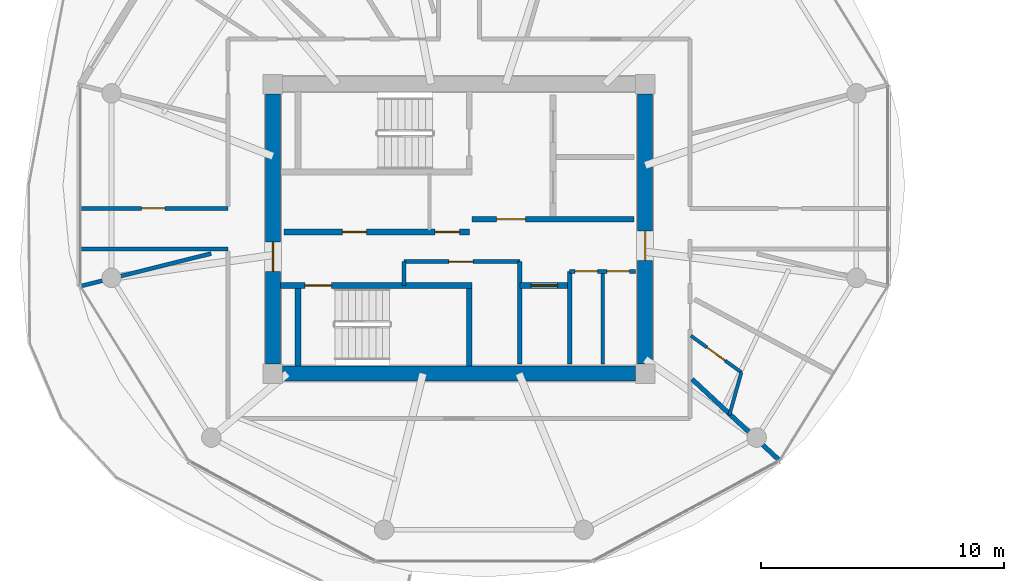
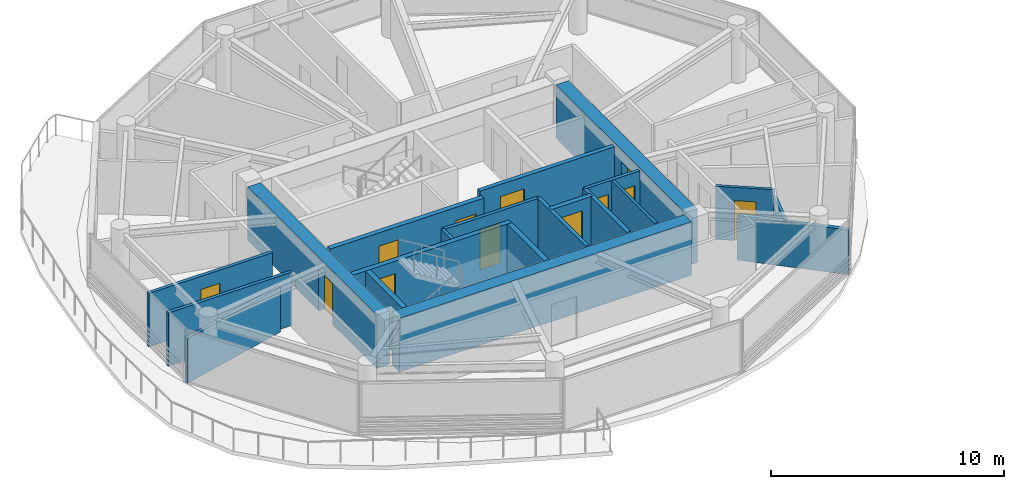
# One storey, part 13 of 23: 21 walls, 12 doors, 12 openings.
"""IFC4 building model written with IfcOpenShell, lengths in metres."""

from ifc_helpers import new_model, si_unit, direction, frame, frame_2d, origin, place, context, subcontext, project, spatial, rectangle, extrude, source, transform, mapped, material, layer, layer_set, type_object, type_shapes, element, fill, save


model = new_model("IFC4")

# Units and contexts
model_context = context("Model", 3, precision=1e-05, world=origin(), true_north=direction((0.0, 1.0)))
body_context = subcontext(model_context, "Body", "Model", "MODEL_VIEW")
ifc_project = project(units=[si_unit("LENGTHUNIT", "METRE"), si_unit("AREAUNIT", "SQUARE_METRE"), si_unit("VOLUMEUNIT", "CUBIC_METRE"), si_unit("PLANEANGLEUNIT", "RADIAN"), si_unit("MASSUNIT", "GRAM", prefix="KILO")], contexts=[model_context])

# Site, building, storey
site_placement = place(None, origin())
site = spatial("IfcSite", under=ifc_project, at=site_placement, CompositionType="ELEMENT")
building_placement = place(site_placement, origin())
building = spatial("IfcBuilding", under=site, at=building_placement, Name="Norrkilde Senior Care Towers", CompositionType="ELEMENT")
storey_placement = place(building_placement, frame((0.0, 0.0, 164.800048828125)))
storey = spatial("IfcBuildingStorey", under=building, at=storey_placement, Name="L51", CompositionType="ELEMENT", Elevation=164.800048828125)

# Wall
ifc_material_1 = material(Name="Concrete C50/60", Category="concrete")
ifc_layer_1 = layer(ifc_material_1, 0.6201171875)
ifc_layer_set_1 = layer_set([ifc_layer_1], Name="Concrete C50/60")
wall_type_1 = type_object("IfcWallType", Name="Core Shear Wall Z3 620", PredefinedType="SHEAR", material=ifc_layer_set_1)
shared_shape_1 = source(origin(), body_context, "Body", "SweptSolid", [
    extrude(rectangle(XDim=14.5, YDim=0.6201171875, at=frame_2d((7.25, 0.0))), origin(), (0.0, 0.0, 1.0), 2.81005859375),
])
wall_1_placement = place(storey_placement, frame((-20.75, -5.949951171875, 0.0), z_axis=(0.0, 0.0, 1.0), x_axis=(-1.0, 0.0, 0.0)))
element("IfcWall", 1, at=wall_1_placement, inside=storey, type_object=wall_type_1, Name="L51 Core W South Shear Wall", PredefinedType="SHEAR", context=body_context, shape_type="MappedRepresentation", body=[
    mapped(shared_shape_1, transform((0.0, 0.0, 0.0), x_axis=(1.0, 0.0, 0.0), y_axis=(0.0, 1.0, 0.0), z_axis=(0.0, 0.0, 1.0), scale=1.0)),
])

# Wall, opening, door
shared_shape_2 = source(origin(), body_context, "Body", "SweptSolid", [
    extrude(rectangle(XDim=11.10009765625, YDim=0.6201171875, at=frame_2d((5.550048828125, 0.0))), origin(), (0.0, 0.0, 1.0), 2.81005859375),
])
type_shapes(wall_type_1, [shared_shape_1, shared_shape_2])
wall_2_placement = place(storey_placement, frame((-35.64990234375, -5.550048828125, 0.0), z_axis=(0.0, 0.0, 1.0), x_axis=(0.0, 1.0, 0.0)))
wall_2 = element("IfcWall", 2, at=wall_2_placement, inside=storey, type_object=wall_type_1, Name="L51 Core W West Shear Wall", PredefinedType="SHEAR", context=body_context, shape_type="MappedRepresentation", body=[
    mapped(shared_shape_2, transform((0.0, 0.0, 0.0), x_axis=(1.0, 0.0, 0.0), y_axis=(0.0, 1.0, 0.0), z_axis=(0.0, 0.0, 1.0), scale=1.0)),
])
opening_1_placement = place(wall_2_placement, frame((3.800048828125, 0.0, 0.0)))
opening_1 = element("IfcOpeningElement", 3, at=opening_1_placement, cuts=wall_2, Name="Opening D-04", PredefinedType="OPENING", context=body_context, shape_type="SweptSolid", body=[
    extrude(rectangle(XDim=1.199951171875, YDim=2.14990234375, at=frame_2d((0.60009765625, 1.074951171875))), frame((0.0, 0.320068359375, 0.0), z_axis=(0.0, -1.0, 0.0), x_axis=(1.0, 0.0, 0.0)), (0.0, 0.0, 1.0), 0.64013671875),
])
ifc_material_2 = material(Name="Galvanised Painted Steel", Category="steel")
door_type_1 = type_object("IfcDoorType", Name="Firefighting Lobby Fire Door 1200x2150", OperationType="NOTDEFINED", PredefinedType="DOOR", material=ifc_material_2)
shared_shape_3 = source(origin(), body_context, "Body", "SweptSolid", [
    extrude(rectangle(XDim=1.199951171875, YDim=2.14990234375, at=frame_2d((0.60009765625, 1.074951171875))), frame((0.0, 0.02490234375, 0.0), z_axis=(0.0, -1.0, 0.0), x_axis=(1.0, 0.0, 0.0)), (0.0, 0.0, 1.0), 0.050048828125),
])
type_shapes(door_type_1, [shared_shape_3])
door_1_placement = place(opening_1_placement, frame((1.199951171875, 0.0, 0.0), z_axis=(0.0, 0.0, 1.0), x_axis=(-1.0, 0.0, 0.0)))
door_1 = element("IfcDoor", 4, at=door_1_placement, inside=storey, type_object=door_type_1, Name="L51 Core W West Portal Door", OperationType="SINGLE_SWING_LEFT", OverallHeight=2.14990234375, OverallWidth=1.199951171875, PredefinedType="DOOR", context=body_context, shape_type="MappedRepresentation", body=[
    mapped(shared_shape_3, transform((0.0, 0.0, 0.0), x_axis=(1.0, 0.0, 0.0), y_axis=(0.0, 1.0, 0.0), z_axis=(0.0, 0.0, 1.0), scale=1.0)),
])
fill(opening_1, door_1)

wall_3_placement = place(storey_placement, frame((-20.35009765625, 5.550048828125, 0.0), z_axis=(0.0, 0.0, 1.0), x_axis=(0.0, -1.0, 0.0)))
wall_3 = element("IfcWall", 5, at=wall_3_placement, inside=storey, type_object=wall_type_1, Name="L51 Core W East Shear Wall", PredefinedType="SHEAR", context=body_context, shape_type="MappedRepresentation", body=[
    mapped(shared_shape_2, transform((0.0, 0.0, 0.0), x_axis=(1.0, 0.0, 0.0), y_axis=(0.0, 1.0, 0.0), z_axis=(0.0, 0.0, 1.0), scale=1.0)),
])
opening_2_placement = place(wall_3_placement, frame((5.64990234375, 0.0, 0.0)))
opening_2 = element("IfcOpeningElement", 6, at=opening_2_placement, cuts=wall_3, Name="Opening D-04", PredefinedType="OPENING", context=body_context, shape_type="SweptSolid", body=[
    extrude(rectangle(XDim=1.199951171875, YDim=2.14990234375, at=frame_2d((0.60009765625, 1.074951171875))), frame((0.0, 0.320068359375, 0.0), z_axis=(0.0, -1.0, 0.0), x_axis=(1.0, 0.0, 0.0)), (0.0, 0.0, 1.0), 0.64013671875),
])
door_2_placement = place(opening_2_placement, frame((1.199951171875, 0.0, 0.0), z_axis=(0.0, 0.0, 1.0), x_axis=(-1.0, 0.0, 0.0)))
door_2 = element("IfcDoor", 7, at=door_2_placement, inside=storey, type_object=door_type_1, Name="L51 Core W East Portal Door", OperationType="SINGLE_SWING_RIGHT", OverallHeight=2.14990234375, OverallWidth=1.199951171875, PredefinedType="DOOR", context=body_context, shape_type="MappedRepresentation", body=[
    mapped(shared_shape_3, transform((0.0, 0.0, 0.0), x_axis=(1.0, 0.0, 0.0), y_axis=(0.0, 1.0, 0.0), z_axis=(0.0, 0.0, 1.0), scale=1.0)),
])
fill(opening_2, door_2)

ifc_material_3 = material(Name="Concrete C45/55", Category="concrete")
ifc_layer_2 = layer(ifc_material_3, 0.239990234375)
ifc_layer_set_2 = layer_set([ifc_layer_2], Name="Concrete C45/55")
wall_type_2 = type_object("IfcWallType", Name="Shaft and Stair Enclosure Wall 240", PredefinedType="PARTITIONING", material=ifc_layer_set_2)
shared_shape_4 = source(origin(), body_context, "Body", "SweptSolid", [
    extrude(rectangle(XDim=7.880126953125, YDim=0.239990234375, at=frame_2d((3.93994140625, 0.0))), origin(), (0.0, 0.0, 1.0), 2.81005859375),
])
wall_4_placement = place(storey_placement, frame((-35.340087890625, -2.330078125, 0.0), z_axis=(0.0, 0.0, 1.0), x_axis=(1.0, 0.0, 0.0)))
wall_4 = element("IfcWall", 8, at=wall_4_placement, inside=storey, type_object=wall_type_2, Name="WL-INT-L51-W-ST2N", PredefinedType="PARTITIONING", context=body_context, shape_type="MappedRepresentation", body=[
    mapped(shared_shape_4, transform((0.0, 0.0, 0.0), x_axis=(1.0, 0.0, 0.0), y_axis=(0.0, 1.0, 0.0), z_axis=(0.0, 0.0, 1.0), scale=1.0)),
])
opening_3_placement = place(wall_4_placement, frame((1.0, 0.0, 0.0)))
opening_3 = element("IfcOpeningElement", 9, at=opening_3_placement, cuts=wall_4, Name="Opening D-03", PredefinedType="OPENING", context=body_context, shape_type="SweptSolid", body=[
    extrude(rectangle(XDim=1.10009765625, YDim=2.14990234375, at=frame_2d((0.550048828125, 1.074951171875))), frame((0.0, 0.1298828125, 0.0), z_axis=(0.0, -1.0, 0.0), x_axis=(1.0, 0.0, 0.0)), (0.0, 0.0, 1.0), 0.260009765625),
])
door_type_2 = type_object("IfcDoorType", Name="Stairwell Protected Fire Door 1100x2150", OperationType="NOTDEFINED", PredefinedType="DOOR", material=ifc_material_2)
shared_shape_5 = source(origin(), body_context, "Body", "SweptSolid", [
    extrude(rectangle(XDim=1.10009765625, YDim=2.14990234375, at=frame_2d((0.550048828125, 1.074951171875))), frame((0.0, 0.02490234375, 0.0), z_axis=(0.0, -1.0, 0.0), x_axis=(1.0, 0.0, 0.0)), (0.0, 0.0, 1.0), 0.050048828125),
])
type_shapes(door_type_2, [shared_shape_5])
door_3_placement = place(opening_3_placement, frame((1.10009765625, 0.0, 0.0), z_axis=(0.0, 0.0, 1.0), x_axis=(-1.0, 0.0, 0.0)))
door_3 = element("IfcDoor", 10, at=door_3_placement, inside=storey, type_object=door_type_2, Name="L51 Stair W2 Fire Door", OperationType="SINGLE_SWING_RIGHT", OverallHeight=2.14990234375, OverallWidth=1.10009765625, PredefinedType="DOOR", context=body_context, shape_type="MappedRepresentation", body=[
    mapped(shared_shape_5, transform((0.0, 0.0, 0.0), x_axis=(1.0, 0.0, 0.0), y_axis=(0.0, 1.0, 0.0), z_axis=(0.0, 0.0, 1.0), scale=1.0)),
])
fill(opening_3, door_3)

# Walls
shared_shape_6 = source(origin(), body_context, "Body", "SweptSolid", [
    extrude(rectangle(XDim=3.18994140625, YDim=0.239990234375, at=frame_2d((1.594970703125, 0.0))), origin(), (0.0, 0.0, 1.0), 2.81005859375),
])
type_shapes(wall_type_2, [shared_shape_4, shared_shape_6])
for number, where, z_axis, x_axis, name in (
    (11, (-34.6201171875, -5.639892578125, 0.0), (0.0, 0.0, 1.0), (0.0, 1.0, 0.0), "WL-INT-L51-W-ST2W"),
    (12, (-27.580078125, -5.639892578125, 0.0), (0.0, 0.0, 1.0), (0.0, 1.0, 0.0), "WL-INT-L51-W-ST2E"),
):
    element("IfcWall", number, at=place(storey_placement, frame(where, z_axis=z_axis, x_axis=x_axis)), inside=storey, type_object=wall_type_2, Name=name, PredefinedType="PARTITIONING", context=body_context, shape_type="MappedRepresentation", body=[
        mapped(shared_shape_6, transform((0.0, 0.0, 0.0), x_axis=(1.0, 0.0, 0.0), y_axis=(0.0, 1.0, 0.0), z_axis=(0.0, 0.0, 1.0), scale=1.0)),
    ])

# Wall, opening, door
ifc_layer_3 = layer(ifc_material_3, 0.2099609375)
ifc_layer_set_3 = layer_set([ifc_layer_3], Name="Concrete C45/55")
wall_type_3 = type_object("IfcWallType", Name="Firefighting Lobby Wall 210", PredefinedType="PARTITIONING", material=ifc_layer_set_3)
shared_shape_7 = source(origin(), body_context, "Body", "SweptSolid", [
    extrude(rectangle(XDim=6.659912109375, YDim=0.2099609375, at=frame_2d((3.330078125, 0.0))), origin(), (0.0, 0.0, 1.0), 2.794921875),
])
type_shapes(wall_type_3, [shared_shape_7])
wall_5_placement = place(storey_placement, frame((-27.4599609375, 0.389892578125, 0.0), z_axis=(0.0, 0.0, 1.0), x_axis=(1.0, 0.0, 0.0)))
wall_5 = element("IfcWall", 13, at=wall_5_placement, inside=storey, type_object=wall_type_3, Name="WL-INT-L51-W-FFLS", PredefinedType="PARTITIONING", context=body_context, shape_type="MappedRepresentation", body=[
    mapped(shared_shape_7, transform((0.0, 0.0, 0.0), x_axis=(1.0, 0.0, 0.0), y_axis=(0.0, 1.0, 0.0), z_axis=(0.0, 0.0, 1.0), scale=1.0)),
])
opening_4_placement = place(wall_5_placement, frame((1.0, 0.0, 0.0)))
opening_4 = element("IfcOpeningElement", 14, at=opening_4_placement, cuts=wall_5, Name="Opening D-04", PredefinedType="OPENING", context=body_context, shape_type="SweptSolid", body=[
    extrude(rectangle(XDim=1.199951171875, YDim=2.14990234375, at=frame_2d((0.60009765625, 1.074951171875))), frame((0.0, 0.114990234375, 0.0), z_axis=(0.0, -1.0, 0.0), x_axis=(1.0, 0.0, 0.0)), (0.0, 0.0, 1.0), 0.22998046875),
])
door_4_placement = place(opening_4_placement, frame((1.199951171875, 0.0, 0.0), z_axis=(0.0, 0.0, 1.0), x_axis=(-1.0, 0.0, 0.0)))
door_4 = element("IfcDoor", 15, at=door_4_placement, inside=storey, type_object=door_type_1, Name="L51 Firefighting Lobby W Door", OperationType="SINGLE_SWING_LEFT", OverallHeight=2.14990234375, OverallWidth=1.199951171875, PredefinedType="DOOR", context=body_context, shape_type="MappedRepresentation", body=[
    mapped(shared_shape_3, transform((0.0, 0.0, 0.0), x_axis=(1.0, 0.0, 0.0), y_axis=(0.0, 1.0, 0.0), z_axis=(0.0, 0.0, 1.0), scale=1.0)),
])
fill(opening_4, door_4)

# Wall, openings, doors
ifc_layer_4 = layer(ifc_material_3, 0.239990234375)
ifc_layer_set_4 = layer_set([ifc_layer_4], Name="Concrete C45/55")
wall_type_4 = type_object("IfcWallType", Name="Lift and Plant Rated Enclosure Partition 240", PredefinedType="PARTITIONING", material=ifc_layer_set_4)
shared_shape_8 = source(origin(), body_context, "Body", "SweptSolid", [
    extrude(rectangle(XDim=7.619873046875, YDim=0.239990234375, at=frame_2d((3.81005859375, 0.0))), origin(), (0.0, 0.0, 1.0), 2.794921875),
])
wall_6_placement = place(storey_placement, frame((-35.199951171875, -0.1298828125, 0.0), z_axis=(0.0, 0.0, 1.0), x_axis=(1.0, 0.0, 0.0)))
wall_6 = element("IfcWall", 16, at=wall_6_placement, inside=storey, type_object=wall_type_4, Name="WL-INT-L51-W-PKAS", PredefinedType="PARTITIONING", context=body_context, shape_type="MappedRepresentation", body=[
    mapped(shared_shape_8, transform((0.0, 0.0, 0.0), x_axis=(1.0, 0.0, 0.0), y_axis=(0.0, 1.0, 0.0), z_axis=(0.0, 0.0, 1.0), scale=1.0)),
])
opening_5_placement = place(wall_6_placement, frame((6.219970703125, 0.0, 0.0)))
opening_5 = element("IfcOpeningElement", 17, at=opening_5_placement, cuts=wall_6, Name="Opening D-10", PredefinedType="OPENING", context=body_context, shape_type="SweptSolid", body=[
    extrude(rectangle(XDim=1.0, YDim=2.10009765625, at=frame_2d((0.5, 1.050048828125))), frame((0.0, 0.1298828125, 0.0), z_axis=(0.0, -1.0, 0.0), x_axis=(1.0, 0.0, 0.0)), (0.0, 0.0, 1.0), 0.260009765625),
])
opening_6_placement = place(wall_6_placement, frame((2.39990234375, 0.0, 0.0)))
opening_6 = element("IfcOpeningElement", 18, at=opening_6_placement, cuts=wall_6, Name="Opening D-10", PredefinedType="OPENING", context=body_context, shape_type="SweptSolid", body=[
    extrude(rectangle(XDim=1.0, YDim=2.10009765625, at=frame_2d((0.5, 1.050048828125))), frame((0.0, 0.1298828125, 0.0), z_axis=(0.0, -1.0, 0.0), x_axis=(1.0, 0.0, 0.0)), (0.0, 0.0, 1.0), 0.260009765625),
])
door_type_3 = type_object("IfcDoorType", Name="Plant and Riser Rated Door 1000x2100", OperationType="NOTDEFINED", PredefinedType="DOOR", material=ifc_material_2)
shared_shape_9 = source(origin(), body_context, "Body", "SweptSolid", [
    extrude(rectangle(XDim=1.0, YDim=2.10009765625, at=frame_2d((0.5, 1.050048828125))), frame((0.0, 0.02490234375, 0.0), z_axis=(0.0, -1.0, 0.0), x_axis=(1.0, 0.0, 0.0)), (0.0, 0.0, 1.0), 0.050048828125),
])
type_shapes(door_type_3, [shared_shape_9])
door_5_placement = place(opening_5_placement, frame((1.0, 0.0, 0.0), z_axis=(0.0, 0.0, 1.0), x_axis=(-1.0, 0.0, 0.0)))
door_5 = element("IfcDoor", 19, at=door_5_placement, inside=storey, type_object=door_type_3, Name="L51 Electrical Riser W Door", OperationType="SINGLE_SWING_LEFT", OverallHeight=2.10009765625, OverallWidth=1.0, PredefinedType="DOOR", context=body_context, shape_type="MappedRepresentation", body=[
    mapped(shared_shape_9, transform((0.0, 0.0, 0.0), x_axis=(1.0, 0.0, 0.0), y_axis=(0.0, 1.0, 0.0), z_axis=(0.0, 0.0, 1.0), scale=1.0)),
])
fill(opening_5, door_5)
door_6_placement = place(opening_6_placement, frame((1.0, 0.0, 0.0), z_axis=(0.0, 0.0, 1.0), x_axis=(-1.0, 0.0, 0.0)))
door_6 = element("IfcDoor", 20, at=door_6_placement, inside=storey, type_object=door_type_3, Name="L51 Clean Supply Store W Door", OperationType="SINGLE_SWING_LEFT", OverallHeight=2.10009765625, OverallWidth=1.0, PredefinedType="DOOR", context=body_context, shape_type="MappedRepresentation", body=[
    mapped(shared_shape_9, transform((0.0, 0.0, 0.0), x_axis=(1.0, 0.0, 0.0), y_axis=(0.0, 1.0, 0.0), z_axis=(0.0, 0.0, 1.0), scale=1.0)),
])
fill(opening_6, door_6)

# Wall
ifc_layer_5 = layer(ifc_material_3, 0.199951171875)
ifc_layer_set_5 = layer_set([ifc_layer_5], Name="Concrete C45/55")
wall_type_5 = type_object("IfcWallType", Name="Shaft Division and Plant Partition 200", PredefinedType="PARTITIONING", material=ifc_layer_set_5)
shared_shape_10 = source(origin(), body_context, "Body", "SweptSolid", [
    extrude(rectangle(XDim=3.800048828125, YDim=0.199951171875, at=frame_2d((1.89990234375, 0.0))), origin(), (0.0, 0.0, 1.0), 2.794921875),
])
type_shapes(wall_type_5, [shared_shape_10])
wall_7_placement = place(storey_placement, frame((-23.449951171875, -5.550048828125, 0.0), z_axis=(0.0, 0.0, 1.0), x_axis=(0.0, 1.0, 0.0)))
element("IfcWall", 21, at=wall_7_placement, inside=storey, type_object=wall_type_5, Name="WL-INT-L51-W-PKBE", PredefinedType="PARTITIONING", context=body_context, shape_type="MappedRepresentation", body=[
    mapped(shared_shape_10, transform((0.0, 0.0, 0.0), x_axis=(1.0, 0.0, 0.0), y_axis=(0.0, 1.0, 0.0), z_axis=(0.0, 0.0, 1.0), scale=1.0)),
])

# Wall, openings, doors
ifc_material_4 = material(Name="Gypsum Acoustic Board")
ifc_layer_6 = layer(ifc_material_4, 0.1650390625)
ifc_layer_set_6 = layer_set([ifc_layer_6], Name="Gypsum Acoustic Board")
wall_type_6 = type_object("IfcWallType", Name="Corridor Rated Partition 165", PredefinedType="PARTITIONING", material=ifc_layer_set_6)
shared_shape_11 = source(origin(), body_context, "Body", "SweptSolid", [
    extrude(rectangle(XDim=2.699951171875, YDim=0.1650390625, at=frame_2d((1.35009765625, 0.0))), origin(), (0.0, 0.0, 1.0), 2.794921875),
])
wall_8_placement = place(storey_placement, frame((-23.449951171875, -1.75, 0.0), z_axis=(0.0, 0.0, 1.0), x_axis=(1.0, 0.0, 0.0)))
wall_8 = element("IfcWall", 22, at=wall_8_placement, inside=storey, type_object=wall_type_6, Name="WL-INT-L51-W-CSN", PredefinedType="PARTITIONING", context=body_context, shape_type="MappedRepresentation", body=[
    mapped(shared_shape_11, transform((0.0, 0.0, 0.0), x_axis=(1.0, 0.0, 0.0), y_axis=(0.0, 1.0, 0.0), z_axis=(0.0, 0.0, 1.0), scale=1.0)),
])
opening_7_placement = place(wall_8_placement, frame((0.222412109375, 0.0, 0.0)))
opening_7 = element("IfcOpeningElement", 23, at=opening_7_placement, cuts=wall_8, Name="Opening D-12", PredefinedType="OPENING", context=body_context, shape_type="SweptSolid", body=[
    extrude(rectangle(XDim=0.925048828125, YDim=2.10009765625, at=frame_2d((0.46240234375, 1.050048828125))), frame((0.0, 0.092529296875, 0.0), z_axis=(0.0, -1.0, 0.0), x_axis=(1.0, 0.0, 0.0)), (0.0, 0.0, 1.0), 0.18505859375),
])
opening_8_placement = place(wall_8_placement, frame((1.5224609375, 0.0, 0.0)))
opening_8 = element("IfcOpeningElement", 24, at=opening_8_placement, cuts=wall_8, Name="Opening D-12", PredefinedType="OPENING", context=body_context, shape_type="SweptSolid", body=[
    extrude(rectangle(XDim=0.925048828125, YDim=2.10009765625, at=frame_2d((0.46240234375, 1.050048828125))), frame((0.0, 0.092529296875, 0.0), z_axis=(0.0, -1.0, 0.0), x_axis=(1.0, 0.0, 0.0)), (0.0, 0.0, 1.0), 0.18505859375),
])
door_type_4 = type_object("IfcDoorType", Name="Core Wet Room Rated Door 925x2100", OperationType="NOTDEFINED", PredefinedType="DOOR", material=ifc_material_2)
shared_shape_12 = source(origin(), body_context, "Body", "SweptSolid", [
    extrude(rectangle(XDim=0.925048828125, YDim=2.10009765625, at=frame_2d((0.46240234375, 1.050048828125))), frame((0.0, 0.02490234375, 0.0), z_axis=(0.0, -1.0, 0.0), x_axis=(1.0, 0.0, 0.0)), (0.0, 0.0, 1.0), 0.050048828125),
])
type_shapes(door_type_4, [shared_shape_12])
door_7_placement = place(opening_7_placement, origin())
door_7 = element("IfcDoor", 25, at=door_7_placement, inside=storey, type_object=door_type_4, Name="L51 Staff Accessible WC W Door", OperationType="SINGLE_SWING_LEFT", OverallHeight=2.10009765625, OverallWidth=0.925048828125, PredefinedType="DOOR", context=body_context, shape_type="MappedRepresentation", body=[
    mapped(shared_shape_12, transform((0.0, 0.0, 0.0), x_axis=(1.0, 0.0, 0.0), y_axis=(0.0, 1.0, 0.0), z_axis=(0.0, 0.0, 1.0), scale=1.0)),
])
fill(opening_7, door_7)
door_8_placement = place(opening_8_placement, origin())
door_8 = element("IfcDoor", 26, at=door_8_placement, inside=storey, type_object=door_type_4, Name="L51 Housekeeping Store W Door", OperationType="SINGLE_SWING_RIGHT", OverallHeight=2.10009765625, OverallWidth=0.925048828125, PredefinedType="DOOR", context=body_context, shape_type="MappedRepresentation", body=[
    mapped(shared_shape_12, transform((0.0, 0.0, 0.0), x_axis=(1.0, 0.0, 0.0), y_axis=(0.0, 1.0, 0.0), z_axis=(0.0, 0.0, 1.0), scale=1.0)),
])
fill(opening_8, door_8)

# Wall, opening, door
ifc_layer_7 = layer(ifc_material_4, 0.139892578125)
ifc_layer_set_7 = layer_set([ifc_layer_7], Name="Gypsum Acoustic Board")
wall_type_7 = type_object("IfcWallType", Name="En-suite Wet Room Wall 140", PredefinedType="PARTITIONING", material=ifc_layer_set_7)
shared_shape_13 = source(origin(), body_context, "Body", "SweptSolid", [
    extrude(rectangle(XDim=2.563232421875, YDim=0.139892578125, at=frame_2d((1.28173828125, 0.0))), origin(), (0.0, 0.0, 1.0), 2.794921875),
])
wall_9_placement = place(storey_placement, frame((-18.469970703125, -4.39697265625, 0.0), z_axis=(0.0, 0.0, 1.0), x_axis=(0.809308208957, -0.587384220859, 0.0)))
wall_9 = element("IfcWall", 27, at=wall_9_placement, inside=storey, type_object=wall_type_7, Name="WL-INT-L51-W-ES-10A", PredefinedType="PARTITIONING", context=body_context, shape_type="MappedRepresentation", body=[
    mapped(shared_shape_13, transform((0.0, 0.0, 0.0), x_axis=(1.0, 0.0, 0.0), y_axis=(0.0, 1.0, 0.0), z_axis=(0.0, 0.0, 1.0), scale=1.0)),
])
opening_9_placement = place(wall_9_placement, frame((0.821533203125, 0.0, 0.0)))
opening_9 = element("IfcOpeningElement", 28, at=opening_9_placement, cuts=wall_9, Name="Opening D-08", PredefinedType="OPENING", context=body_context, shape_type="SweptSolid", body=[
    extrude(rectangle(XDim=0.919921875, YDim=2.10009765625, at=frame_2d((0.4599609375, 1.050048828125))), frame((0.0, 0.079833984375, 0.0), z_axis=(0.0, -1.0, 0.0), x_axis=(1.0, 0.0, 0.0)), (0.0, 0.0, 1.0), 0.159912109375),
])
ifc_material_5 = material(Name="Nordic Ash Timber", Category="wood")
door_type_5 = type_object("IfcDoorType", Name="Accessible Wet Room Door 920x2100", OperationType="NOTDEFINED", PredefinedType="DOOR", material=ifc_material_5)
shared_shape_14 = source(origin(), body_context, "Body", "SweptSolid", [
    extrude(rectangle(XDim=0.919921875, YDim=2.10009765625, at=frame_2d((0.4599609375, 1.050048828125))), frame((0.0, 0.02490234375, 0.0), z_axis=(0.0, -1.0, 0.0), x_axis=(1.0, 0.0, 0.0)), (0.0, 0.0, 1.0), 0.050048828125),
])
type_shapes(door_type_5, [shared_shape_14])
door_9_placement = place(opening_9_placement, origin())
door_9 = element("IfcDoor", 29, at=door_9_placement, inside=storey, type_object=door_type_5, Name="L51 Care Suite 5110A Bathroom Door", OperationType="SINGLE_SWING_RIGHT", OverallHeight=2.10009765625, OverallWidth=0.919921875, PredefinedType="DOOR", context=body_context, shape_type="MappedRepresentation", body=[
    mapped(shared_shape_14, transform((0.0, 0.0, 0.0), x_axis=(1.0, 0.0, 0.0), y_axis=(0.0, 1.0, 0.0), z_axis=(0.0, 0.0, 1.0), scale=1.0)),
])
fill(opening_9, door_9)

# Walls
shared_shape_15 = source(origin(), body_context, "Body", "SweptSolid", [
    extrude(rectangle(XDim=1.825927734375, YDim=0.139892578125, at=frame_2d((0.9130859375, 0.0))), origin(), (0.0, 0.0, 1.0), 2.43505859375),
])
wall_10_placement = place(storey_placement, frame((-16.3955078125, -5.902587890625, 0.0), z_axis=(0.0, 0.0, 1.0), x_axis=(-0.270745576918, -0.962650940154, 0.0)))
element("IfcWall", 30, at=wall_10_placement, inside=storey, type_object=wall_type_7, Name="WL-INT-L51-W-EF-10A", PredefinedType="PARTITIONING", context=body_context, shape_type="MappedRepresentation", body=[
    mapped(shared_shape_15, transform((0.0, 0.0, 0.0), x_axis=(1.0, 0.0, 0.0), y_axis=(0.0, 1.0, 0.0), z_axis=(0.0, 0.0, 1.0), scale=1.0)),
])
shared_shape_16 = source(origin(), body_context, "Body", "SweptSolid", [
    extrude(rectangle(XDim=3.800048828125, YDim=0.139892578125, at=frame_2d((1.89990234375, 0.0))), origin(), (0.0, 0.0, 1.0), 2.794921875),
])
type_shapes(wall_type_7, [shared_shape_13, shared_shape_15, shared_shape_16])
wall_11_placement = place(storey_placement, frame((-22.10009765625, -5.550048828125, 0.0), z_axis=(0.0, 0.0, 1.0), x_axis=(0.0, 1.0, 0.0)))
element("IfcWall", 31, at=wall_11_placement, inside=storey, type_object=wall_type_7, Name="WL-INT-L51-W-CS1V", PredefinedType="PARTITIONING", context=body_context, shape_type="MappedRepresentation", body=[
    mapped(shared_shape_16, transform((0.0, 0.0, 0.0), x_axis=(1.0, 0.0, 0.0), y_axis=(0.0, 1.0, 0.0), z_axis=(0.0, 0.0, 1.0), scale=1.0)),
])
ifc_layer_8 = layer(ifc_material_4, 0.18994140625)
ifc_layer_set_8 = layer_set([ifc_layer_8], Name="Gypsum Acoustic Board")
wall_type_8 = type_object("IfcWallType", Name="Unit Demising Acoustic Wall 190", PredefinedType="PARTITIONING", material=ifc_layer_set_8)
shared_shape_17 = source(origin(), body_context, "Body", "SweptSolid", [
    extrude(rectangle(XDim=4.926513671875, YDim=0.18994140625, at=frame_2d((2.46337890625, 0.0))), origin(), (0.0, 0.0, 1.0), 2.344970703125),
])
type_shapes(wall_type_8, [shared_shape_17])
wall_12_placement = place(storey_placement, frame((-18.419921875, -6.182861328125, 0.0), z_axis=(0.0, 0.0, 1.0), x_axis=(0.732191335987, -0.681098999783, 0.0)))
element("IfcWall", 32, at=wall_12_placement, inside=storey, type_object=wall_type_8, Name="WL-INT-L51-W-DEM-10-0", PredefinedType="PARTITIONING", context=body_context, shape_type="MappedRepresentation", body=[
    mapped(shared_shape_17, transform((0.0, 0.0, 0.0), x_axis=(1.0, 0.0, 0.0), y_axis=(0.0, 1.0, 0.0), z_axis=(0.0, 0.0, 1.0), scale=1.0)),
])
shared_shape_18 = source(origin(), body_context, "Body", "SweptSolid", [
    extrude(rectangle(XDim=5.564208984375, YDim=0.1650390625, at=frame_2d((2.7822265625, 0.0))), origin(), (0.0, 0.0, 1.0), 2.344970703125),
])
wall_13_placement = place(storey_placement, frame((-38.18994140625, -1.02001953125, 0.0), z_axis=(0.0, 0.0, 1.0), x_axis=(-0.97031260977, -0.241854169533, 0.0)))
element("IfcWall", 33, at=wall_13_placement, inside=storey, type_object=wall_type_6, Name="WL-INT-L51-W-DEM-06-0", PredefinedType="PARTITIONING", context=body_context, shape_type="MappedRepresentation", body=[
    mapped(shared_shape_18, transform((0.0, 0.0, 0.0), x_axis=(1.0, 0.0, 0.0), y_axis=(0.0, 1.0, 0.0), z_axis=(0.0, 0.0, 1.0), scale=1.0)),
])

# Wall, opening, door
shared_shape_19 = source(origin(), body_context, "Body", "SweptSolid", [
    extrude(rectangle(XDim=2.050048828125, YDim=0.239990234375, at=frame_2d((1.02490234375, 0.0))), origin(), (0.0, 0.0, 1.0), 2.794921875),
])
type_shapes(wall_type_4, [shared_shape_8, shared_shape_19])
wall_14_placement = place(storey_placement, frame((-25.5, -2.330078125, 0.0), z_axis=(0.0, 0.0, 1.0), x_axis=(1.0, 0.0, 0.0)))
wall_14 = element("IfcWall", 34, at=wall_14_placement, inside=storey, type_object=wall_type_4, Name="WL-INT-L51-W-PL4N", PredefinedType="PARTITIONING", context=body_context, shape_type="MappedRepresentation", body=[
    mapped(shared_shape_19, transform((0.0, 0.0, 0.0), x_axis=(1.0, 0.0, 0.0), y_axis=(0.0, 1.0, 0.0), z_axis=(0.0, 0.0, 1.0), scale=1.0)),
])
opening_10_placement = place(wall_14_placement, frame((0.449951171875, 0.0, 0.0)))
opening_10 = element("IfcOpeningElement", 35, at=opening_10_placement, cuts=wall_14, Name="Opening LD-01", PredefinedType="OPENING", context=body_context, shape_type="SweptSolid", body=[
    extrude(rectangle(XDim=1.10009765625, YDim=2.199951171875, at=frame_2d((0.550048828125, 1.10009765625))), frame((0.0, 0.1298828125, 0.0), z_axis=(0.0, -1.0, 0.0), x_axis=(1.0, 0.0, 0.0)), (0.0, 0.0, 1.0), 0.260009765625),
])
ifc_material_6 = material(Name="Stainless Steel", Category="steel")
door_type_6 = type_object("IfcDoorType", Name="Lift Landing Sliding Door 1100x2200", OperationType="NOTDEFINED", PredefinedType="DOOR", material=ifc_material_6)
shared_shape_20 = source(origin(), body_context, "Body", "SweptSolid", [
    extrude(rectangle(XDim=1.10009765625, YDim=2.199951171875, at=frame_2d((0.550048828125, 1.10009765625))), frame((0.0, 0.02490234375, 0.0), z_axis=(0.0, -1.0, 0.0), x_axis=(1.0, 0.0, 0.0)), (0.0, 0.0, 1.0), 0.050048828125),
])
type_shapes(door_type_6, [shared_shape_20])
door_10_placement = place(opening_10_placement, frame((1.10009765625, 0.0, 0.0), z_axis=(0.0, 0.0, 1.0), x_axis=(-1.0, 0.0, 0.0)))
door_10 = element("IfcDoor", 36, at=door_10_placement, inside=storey, type_object=door_type_6, Name="L51 Passenger Lift W4 Landing Door", OperationType="SLIDING_TO_RIGHT", OverallHeight=2.199951171875, OverallWidth=1.10009765625, PredefinedType="DOOR", context=body_context, shape_type="MappedRepresentation", body=[
    mapped(shared_shape_20, transform((0.0, 0.0, 0.0), x_axis=(1.0, 0.0, 0.0), y_axis=(0.0, 1.0, 0.0), z_axis=(0.0, 0.0, 1.0), scale=1.0)),
])
fill(opening_10, door_10)

# Wall
ifc_layer_9 = layer(ifc_material_3, 0.179931640625)
ifc_layer_set_9 = layer_set([ifc_layer_9], Name="Concrete C45/55")
wall_type_9 = type_object("IfcWallType", Name="Hoistway Division Rated Partition 180", PredefinedType="PARTITIONING", material=ifc_layer_set_9)
shared_shape_21 = source(origin(), body_context, "Body", "SweptSolid", [
    extrude(rectangle(XDim=4.199951171875, YDim=0.179931640625, at=frame_2d((2.10009765625, 0.0))), origin(), (0.0, 0.0, 1.0), 2.794921875),
])
type_shapes(wall_type_9, [shared_shape_21])
wall_15_placement = place(storey_placement, frame((-25.5, -5.550048828125, 0.0), z_axis=(0.0, 0.0, 1.0), x_axis=(0.0, 1.0, 0.0)))
element("IfcWall", 37, at=wall_15_placement, inside=storey, type_object=wall_type_9, Name="WL-INT-L51-W-PL4W", PredefinedType="PARTITIONING", context=body_context, shape_type="MappedRepresentation", body=[
    mapped(shared_shape_21, transform((0.0, 0.0, 0.0), x_axis=(1.0, 0.0, 0.0), y_axis=(0.0, 1.0, 0.0), z_axis=(0.0, 0.0, 1.0), scale=1.0)),
])

# Wall, opening, door
shared_shape_22 = source(origin(), body_context, "Body", "SweptSolid", [
    extrude(rectangle(XDim=4.77001953125, YDim=0.1650390625, at=frame_2d((2.385009765625, 0.0))), origin(), (0.0, 0.0, 1.0), 2.794921875),
])
wall_16_placement = place(storey_placement, frame((-30.27001953125, -1.35009765625, 0.0), z_axis=(0.0, 0.0, 1.0), x_axis=(1.0, 0.0, 0.0)))
wall_16 = element("IfcWall", 38, at=wall_16_placement, inside=storey, type_object=wall_type_6, Name="WL-INT-L51-W-FR2N", PredefinedType="PARTITIONING", context=body_context, shape_type="MappedRepresentation", body=[
    mapped(shared_shape_22, transform((0.0, 0.0, 0.0), x_axis=(1.0, 0.0, 0.0), y_axis=(0.0, 1.0, 0.0), z_axis=(0.0, 0.0, 1.0), scale=1.0)),
])
opening_11_placement = place(wall_16_placement, frame((1.85009765625, 0.0, 0.0)))
opening_11 = element("IfcOpeningElement", 39, at=opening_11_placement, cuts=wall_16, Name="Opening D-10", PredefinedType="OPENING", context=body_context, shape_type="SweptSolid", body=[
    extrude(rectangle(XDim=1.0, YDim=2.10009765625, at=frame_2d((0.5, 1.050048828125))), frame((0.0, 0.092529296875, 0.0), z_axis=(0.0, -1.0, 0.0), x_axis=(1.0, 0.0, 0.0)), (0.0, 0.0, 1.0), 0.18505859375),
])
door_11_placement = place(opening_11_placement, origin())
door_11 = element("IfcDoor", 40, at=door_11_placement, inside=storey, type_object=door_type_3, Name="L51 Core Pantry W Door", OperationType="SINGLE_SWING_RIGHT", OverallHeight=2.10009765625, OverallWidth=1.0, PredefinedType="DOOR", context=body_context, shape_type="MappedRepresentation", body=[
    mapped(shared_shape_9, transform((0.0, 0.0, 0.0), x_axis=(1.0, 0.0, 0.0), y_axis=(0.0, 1.0, 0.0), z_axis=(0.0, 0.0, 1.0), scale=1.0)),
])
fill(opening_11, door_11)

# Wall
shared_shape_23 = source(origin(), body_context, "Body", "SweptSolid", [
    extrude(rectangle(XDim=0.97998046875, YDim=0.1650390625, at=frame_2d((0.489990234375, 0.0))), origin(), (0.0, 0.0, 1.0), 2.794921875),
])
wall_17_placement = place(storey_placement, frame((-30.27001953125, -2.330078125, 0.0), z_axis=(0.0, 0.0, 1.0), x_axis=(0.0, 1.0, 0.0)))
element("IfcWall", 41, at=wall_17_placement, inside=storey, type_object=wall_type_6, Name="WL-INT-L51-W-FR2W", PredefinedType="PARTITIONING", context=body_context, shape_type="MappedRepresentation", body=[
    mapped(shared_shape_23, transform((0.0, 0.0, 0.0), x_axis=(1.0, 0.0, 0.0), y_axis=(0.0, 1.0, 0.0), z_axis=(0.0, 0.0, 1.0), scale=1.0)),
])

# Wall, opening, door
shared_shape_24 = source(origin(), body_context, "Body", "SweptSolid", [
    extrude(rectangle(XDim=6.138916015625, YDim=0.1650390625, at=frame_2d((3.0693359375, 0.0))), origin(), (0.0, 0.0, 1.0), 2.794921875),
])
type_shapes(wall_type_6, [shared_shape_11, shared_shape_18, shared_shape_22, shared_shape_23, shared_shape_24])
wall_18_placement = place(storey_placement, frame((-43.638916015625, 0.840087890625, 0.0), z_axis=(0.0, 0.0, 1.0), x_axis=(1.0, 0.0, 0.0)))
wall_18 = element("IfcWall", 42, at=wall_18_placement, inside=storey, type_object=wall_type_6, Name="WL-INT-L51-W-SPK-W1-0", PredefinedType="PARTITIONING", context=body_context, shape_type="MappedRepresentation", body=[
    mapped(shared_shape_24, transform((0.0, 0.0, 0.0), x_axis=(1.0, 0.0, 0.0), y_axis=(0.0, 1.0, 0.0), z_axis=(0.0, 0.0, 1.0), scale=1.0)),
])
opening_12_placement = place(wall_18_placement, frame((2.594482421875, 0.0, 0.0)))
opening_12 = element("IfcOpeningElement", 43, at=opening_12_placement, cuts=wall_18, Name="Opening D-07", PredefinedType="OPENING", context=body_context, shape_type="SweptSolid", body=[
    extrude(rectangle(XDim=0.949951171875, YDim=2.10009765625, at=frame_2d((0.47509765625, 1.050048828125))), frame((0.0, 0.092529296875, 0.0), z_axis=(0.0, -1.0, 0.0), x_axis=(1.0, 0.0, 0.0)), (0.0, 0.0, 1.0), 0.18505859375),
])
door_type_7 = type_object("IfcDoorType", Name="Internal Suite Bedroom Door 950x2100", OperationType="NOTDEFINED", PredefinedType="DOOR", material=ifc_material_5)
shared_shape_25 = source(origin(), body_context, "Body", "SweptSolid", [
    extrude(rectangle(XDim=0.949951171875, YDim=2.10009765625, at=frame_2d((0.47509765625, 1.050048828125))), frame((0.0, 0.02490234375, 0.0), z_axis=(0.0, -1.0, 0.0), x_axis=(1.0, 0.0, 0.0)), (0.0, 0.0, 1.0), 0.050048828125),
])
type_shapes(door_type_7, [shared_shape_25])
door_12_placement = place(opening_12_placement, frame((0.949951171875, 0.0, 0.0), z_axis=(0.0, 0.0, 1.0), x_axis=(-1.0, 0.0, 0.0)))
door_12 = element("IfcDoor", 44, at=door_12_placement, inside=storey, type_object=door_type_7, Name="L51 Sun Reading Lounge 2 Door", OperationType="SINGLE_SWING_LEFT", OverallHeight=2.10009765625, OverallWidth=0.949951171875, PredefinedType="DOOR", context=body_context, shape_type="MappedRepresentation", body=[
    mapped(shared_shape_25, transform((0.0, 0.0, 0.0), x_axis=(1.0, 0.0, 0.0), y_axis=(0.0, 1.0, 0.0), z_axis=(0.0, 0.0, 1.0), scale=1.0)),
])
fill(opening_12, door_12)

# Wall
wall_19_placement = place(storey_placement, frame((-37.5, -0.840087890625, 0.0), z_axis=(0.0, 0.0, 1.0), x_axis=(-1.0, 0.0, 0.0)))
element("IfcWall", 45, at=wall_19_placement, inside=storey, type_object=wall_type_6, Name="WL-INT-L51-W-SPK-W2-0", PredefinedType="PARTITIONING", context=body_context, shape_type="MappedRepresentation", body=[
    mapped(shared_shape_24, transform((0.0, 0.0, 0.0), x_axis=(1.0, 0.0, 0.0), y_axis=(0.0, 1.0, 0.0), z_axis=(0.0, 0.0, 1.0), scale=1.0)),
])

save(model, "model.ifc")
